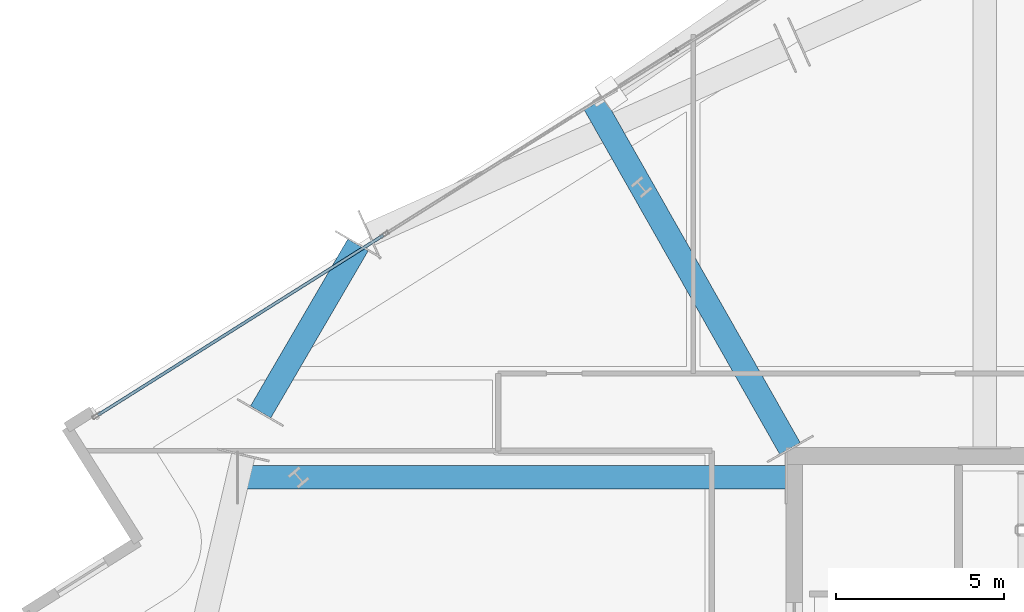
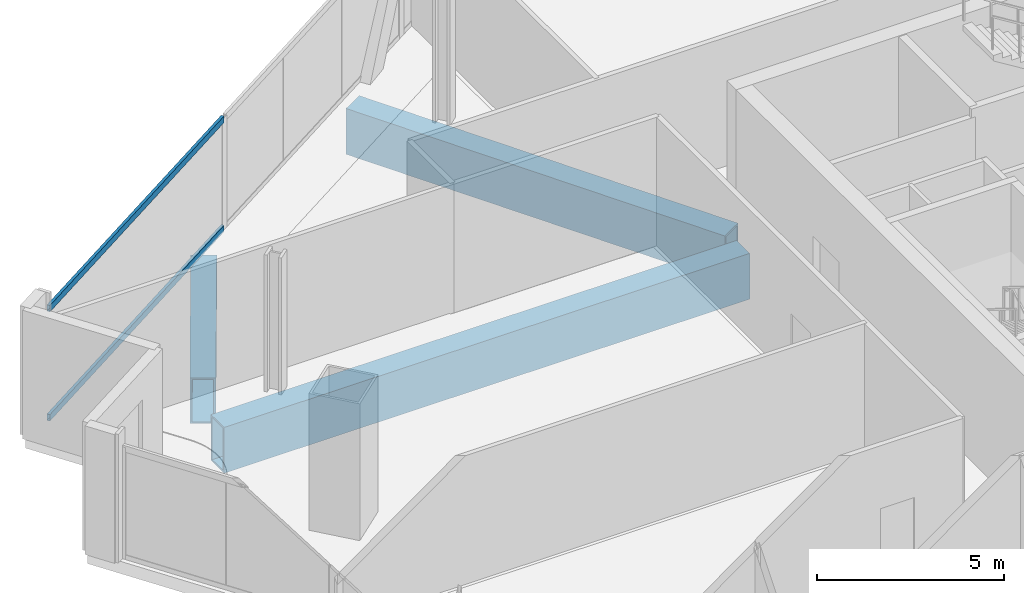
# One storey, part 11 of 29: 3 beams, 2 members, 1 element without a shape of its own.
"""IFC4 building model written with IfcOpenShell, lengths in metres."""

import ifcopenshell
import ifcopenshell.guid

model = None  # the IFC model being written
_history = None  # IfcOwnerHistory: only IFC2X3 demands one
_inside = {}  # id of a spatial element -> (the spatial element, [elements in it])
_under = {}  # id of a project, library or spatial element -> (it, [spatial elements below it])
_declared = {}  # id of a project -> (the project, [libraries it declares])
_typed = {}  # id of a type object -> (the type object, [elements of that type])
_made_of = {}  # id of a material, layer set ... -> (it, [elements and type objects made of it])


def new_model(schema):
    """Start an empty IFC model of exactly this schema.

    Asked for "IFC4X3", IfcOpenShell would pick the latest addendum, in which some entities
    have other attributes; the version numbers below select the first issue.
    IFC2X3 requires an IfcOwnerHistory on every rooted entity: one is made here for all.
    """
    global model, _history
    if schema == "IFC4X3":
        model = ifcopenshell.file(schema_version=(4, 3, 0, 0))
    else:
        model = ifcopenshell.file(schema=schema)
    _inside.clear()
    _under.clear()
    _declared.clear()
    _typed.clear()
    _made_of.clear()
    _history = None
    if model.schema == "IFC2X3":
        org = make("IfcOrganization", Name="unknown")
        user = make(
            "IfcPersonAndOrganization",
            ThePerson=make("IfcPerson", FamilyName="unknown"),
            TheOrganization=org,
        )
        app = make(
            "IfcApplication",
            ApplicationDeveloper=org,
            Version="unknown",
            ApplicationFullName="unknown",
            ApplicationIdentifier="unknown",
        )
        _history = make(
            "IfcOwnerHistory",
            OwningUser=user,
            OwningApplication=app,
            ChangeAction="ADDED",
            CreationDate=0,
        )
    return model


def make(cls, **values):
    """One entity of the class cls with the attributes given. An attribute that is None is left unset."""
    return model.create_entity(
        cls, **{name: value for name, value in values.items() if value is not None}
    )


def rooted(cls, **values):
    """An entity with a GlobalId (a new one), such as an element, a storey or a relation."""
    return make(cls, GlobalId=ifcopenshell.guid.new(), OwnerHistory=_history, **values)


def si_unit(unit_type, name, prefix=None):
    """IfcSIUnit, for example si_unit("LENGTHUNIT", "METRE", prefix="MILLI")."""
    return make("IfcSIUnit", UnitType=unit_type, Prefix=prefix, Name=name)


def assignment(units):
    """IfcUnitAssignment: the units of a project."""
    return None if units is None else make("IfcUnitAssignment", Units=units)


def point(xyz):
    """IfcCartesianPoint."""
    return None if xyz is None else make("IfcCartesianPoint", Coordinates=xyz)


def direction(xyz):
    """IfcDirection."""
    return None if xyz is None else make("IfcDirection", DirectionRatios=xyz)


def frame(location, z_axis=None, x_axis=None):
    """IfcAxis2Placement3D, a coordinate frame: its origin and axes. An axis left out is left unset."""
    return make(
        "IfcAxis2Placement3D",
        Location=point(location),
        Axis=direction(z_axis),
        RefDirection=direction(x_axis),
    )


def frame_2d(location, x_axis=None):
    """IfcAxis2Placement2D, a coordinate frame in the plane: its origin and x axis."""
    return make(
        "IfcAxis2Placement2D", Location=point(location), RefDirection=direction(x_axis)
    )


def origin():
    """The frame at (0, 0, 0) with its axes left unset."""
    return frame((0.0, 0.0, 0.0))


def origin_2d():
    """The frame at (0, 0) in the plane with its x axis left unset."""
    return frame_2d((0.0, 0.0))


def place(relative_to, where):
    """IfcLocalPlacement: puts the frame where relative to a parent placement (None: the world)."""
    return make(
        "IfcLocalPlacement", PlacementRelTo=relative_to, RelativePlacement=where
    )


def context(
    kind, dimensions, precision=None, world=None, true_north=None, identifier=None
):
    """IfcGeometricRepresentationContext, for example the 3D "Model" context."""
    return make(
        "IfcGeometricRepresentationContext",
        ContextIdentifier=identifier,
        ContextType=kind,
        CoordinateSpaceDimension=dimensions,
        Precision=precision,
        WorldCoordinateSystem=world,
        TrueNorth=true_north,
    )


def subcontext(parent, identifier, kind, view, scale=None):
    """IfcGeometricRepresentationSubContext, for example "Body" below "Model"."""
    return make(
        "IfcGeometricRepresentationSubContext",
        ContextIdentifier=identifier,
        ContextType=kind,
        ParentContext=parent,
        TargetScale=scale,
        TargetView=view,
    )


def project(units=None, contexts=None):
    """IfcProject with its units and contexts."""
    return rooted(
        "IfcProject",
        Name="project",
        RepresentationContexts=contexts,
        UnitsInContext=assignment(units),
    )


def spatial(cls, under=None, at=None, **own):
    """A site, building, storey or space (cls), placed at a placement, below another one or the project."""
    s = rooted(cls, ObjectPlacement=at, **own)
    if under is not None:
        _under.setdefault(under.id(), (under, []))[1].append(s)
    return s


def profile(cls, at=None, kind="AREA", **sizes):
    """A parametric profile (cls). Its sizes go by their IFC names, for example OverallWidth=200.0."""
    return make(cls, ProfileType=kind, Position=at, **sizes)


def hollow_rectangle(**sizes):
    """IfcRectangleHollowProfileDef."""
    return profile("IfcRectangleHollowProfileDef", **sizes)


def extrude(swept, where, along, depth):
    """IfcExtrudedAreaSolid: the profile swept, set in the frame where, extruded along a direction by depth."""
    return make(
        "IfcExtrudedAreaSolid",
        SweptArea=swept,
        Position=where,
        ExtrudedDirection=direction(along),
        Depth=depth,
    )


def shape(context_of_items, identifier, shape_type, items):
    """IfcShapeRepresentation: the items that make up one representation, for example the "Body"."""
    return make(
        "IfcShapeRepresentation",
        ContextOfItems=context_of_items,
        RepresentationIdentifier=identifier,
        RepresentationType=shape_type,
        Items=items,
    )


def material(Name=None, Category=None):
    """IfcMaterial."""
    return make("IfcMaterial", Name=Name, Category=Category)


def material_profile(
    of_material, cross_section, Name=None, Category=None, Priority=None
):
    """IfcMaterialProfile: a cross section and its material."""
    return make(
        "IfcMaterialProfile",
        Name=Name,
        Material=of_material,
        Profile=cross_section,
        Priority=Priority,
        Category=Category,
    )


def profile_set(profiles, Name=None, composite=None):
    """IfcMaterialProfileSet."""
    return make(
        "IfcMaterialProfileSet",
        Name=Name,
        MaterialProfiles=profiles,
        CompositeProfile=composite,
    )


def made_of(thing, what):
    """Note that an element or type object is made of a material, layer set ...; save() writes the relation."""
    if what is not None:
        _made_of.setdefault(what.id(), (what, []))[1].append(thing)
    return thing


def type_object(cls, material=None, **own):
    """A type object (cls), such as IfcWallType, which elements share."""
    return made_of(rooted(cls, **own), material)


def element(
    cls,
    number,
    at=None,
    inside=None,
    cuts=None,
    type_object=None,
    material=None,
    context=None,
    identifier="Body",
    shape_type=None,
    held_by="IfcProductDefinitionShape",
    body=None,
    shapes=None,
    **own,
):
    """One element of the class cls, such as IfcWall. Its Tag is "e" and its number.

    at: its placement. inside: the storey or other place that contains it. cuts: it is an
    opening in that element (IfcRelVoidsElement). A single representation is given by context,
    identifier, shape_type and body (its items); several are given by shapes. held_by: the class
    of the entity that holds the representations. save() writes the other relations.
    """
    e = rooted(cls, Tag="e%d" % number, ObjectPlacement=at, **own)
    if body is not None:
        shapes = [shape(context, identifier, shape_type, body)]
    if shapes is not None:
        e.Representation = make(held_by, Representations=shapes)
    if inside is not None:
        _inside.setdefault(inside.id(), (inside, []))[1].append(e)
    if cuts is not None:
        rooted(
            "IfcRelVoidsElement", RelatingBuildingElement=cuts, RelatedOpeningElement=e
        )
    if type_object is not None:
        _typed.setdefault(type_object.id(), (type_object, []))[1].append(e)
    return made_of(e, material)


def aggregate(whole, parts):
    """IfcRelAggregates: a whole, such as a stair, and the parts it consists of."""
    return rooted("IfcRelAggregates", RelatingObject=whole, RelatedObjects=parts)


def save(model, path):
    """Write the relations noted so far, then the file.

    IfcRelAggregates (storeys below a building ...), IfcRelContainedInSpatialStructure (elements
    in a storey), IfcRelDefinesByType, IfcRelAssociatesMaterial and IfcRelDeclares: one each for
    every whole, place, type object, material and project.
    """
    for whole, parts in _under.values():
        aggregate(whole, parts)
    for where, things in _inside.values():
        rooted(
            "IfcRelContainedInSpatialStructure",
            RelatedElements=things,
            RelatingStructure=where,
        )
    for kind, things in _typed.values():
        rooted("IfcRelDefinesByType", RelatedObjects=things, RelatingType=kind)
    for what, things in _made_of.values():
        rooted("IfcRelAssociatesMaterial", RelatedObjects=things, RelatingMaterial=what)
    for by, libraries in _declared.values():
        rooted("IfcRelDeclares", RelatingContext=by, RelatedDefinitions=libraries)
    model.write(path)


model = new_model("IFC4")

# Units and contexts
model_context = context("Model", 3, precision=1e-05, world=origin(), true_north=direction((0.0, 1.0)))
body_context = subcontext(model_context, "Body", "Model", "MODEL_VIEW")
ifc_project = project(units=[si_unit("LENGTHUNIT", "METRE"), si_unit("AREAUNIT", "SQUARE_METRE"), si_unit("VOLUMEUNIT", "CUBIC_METRE"), si_unit("PLANEANGLEUNIT", "RADIAN"), si_unit("MASSUNIT", "GRAM", prefix="KILO")], contexts=[model_context])

# Site, building, storey
site_placement = place(None, origin())
site = spatial("IfcSite", under=ifc_project, at=site_placement, CompositionType="ELEMENT")
building_placement = place(site_placement, origin())
building = spatial("IfcBuilding", under=site, at=building_placement, Name="Haldenkirk Collegiate Tower", CompositionType="ELEMENT")
storey_placement = place(building_placement, frame((0.0, 0.0, 136.199951171875)))
storey = spatial("IfcBuildingStorey", under=building, at=storey_placement, Name="L33", CompositionType="ELEMENT", Elevation=136.199951171875)

# Beams
ifc_material_1 = material(Name="Steel ASTM A572 Grade 50", Category="steel")
ifc_material_profile_1 = material_profile(ifc_material_1, hollow_rectangle(XDim=0.699951171875, YDim=1.5, WallThickness=0.06005859375, at=origin_2d()), Name="BOX1500X700X60")
ifc_profile_set_1 = profile_set([ifc_material_profile_1], Name="Steel ASTM A572 Grade 50")
beam_type = type_object("IfcBeamType", Name="BM-TRANSFER-BOX1500X700X60", PredefinedType="BEAM", material=ifc_profile_set_1)
beam_1_placement = place(storey_placement, frame((14.035888671875, 40.27001953125, -1.14990234375), z_axis=(-0.503649179098, -0.863908273137, 0.0), x_axis=(0.863908273137, -0.503649179098, 0.0)))
element("IfcBeam", 1, at=beam_1_placement, inside=storey, type_object=beam_type, Name="L33 sky-lobby perimeter transfer girder 12", PredefinedType="BEAM", context=body_context, shape_type="SweptSolid", body=[
    extrude(hollow_rectangle(XDim=0.699951171875, YDim=1.5, WallThickness=0.06005859375, at=origin_2d()), origin(), (0.0, 0.0, 1.0), 5.748046875),
])
beam_2_placement = place(storey_placement, frame((21.061767578125, 44.458984375, -1.14990234375), z_axis=(0.493727185722, -0.869616850158, 0.0), x_axis=(0.869616850158, 0.493727185722, 0.0)))
element("IfcBeam", 2, at=beam_2_placement, inside=storey, type_object=beam_type, Name="L33 sky-lobby radial transfer girder 12", PredefinedType="BEAM", context=body_context, shape_type="SweptSolid", body=[
    extrude(hollow_rectangle(XDim=0.699951171875, YDim=1.5, WallThickness=0.06005859375, at=origin_2d()), origin(), (0.0, 0.0, 1.0), 11.772216796875),
])
beam_3_placement = place(storey_placement, frame((10.472412109375, 33.360107421875, -1.14990234375), z_axis=(1.0, 0.0, 0.0), x_axis=(0.0, 1.0, 0.0)))
element("IfcBeam", 3, at=beam_3_placement, inside=storey, type_object=beam_type, Name="L33 sky-lobby radial transfer girder 13", PredefinedType="BEAM", context=body_context, shape_type="SweptSolid", body=[
    extrude(hollow_rectangle(XDim=0.699951171875, YDim=1.5, WallThickness=0.06005859375, at=origin_2d()), origin(), (0.0, 0.0, 1.0), 16.272705078125),
])

# Curtain wall, members
ifc_material_2 = material(Name="Anodised architectural bronze aluminium", Category="aluminium")
curtain_wall_type = type_object("IfcCurtainWallType", Name="CW-SYS4-SKYGARDEN", PredefinedType="USERDEFINED", material=ifc_material_2)
curtain_wall_placement = place(storey_placement, origin())
curtain_wall = element("IfcCurtainWall", 4, at=curtain_wall_placement, inside=storey, type_object=curtain_wall_type, Name="L33 Sky-garden tall bronze curtain wall", ObjectType="UNITISED CURTAIN WALL", PredefinedType="USERDEFINED")
ifc_material_profile_2 = material_profile(ifc_material_2, hollow_rectangle(XDim=0.090087890625, YDim=0.2099609375, WallThickness=0.0048828125, at=origin_2d()), Name="CW-TRN-04")
ifc_profile_set_2 = profile_set([ifc_material_profile_2], Name="Anodised architectural bronze aluminium")
member_type = type_object("IfcMemberType", Name="CW-TRN-04", PredefinedType="USERDEFINED", material=ifc_profile_set_2)
member_1_placement = place(storey_placement, frame((6.311767578125, 35.2177734375, 0.045166015625), z_axis=(0.846196606927, 0.532870812135, 0.0), x_axis=(-0.532870812135, 0.846196606927, 0.0)))
member_1 = element("IfcMember", 5, at=member_1_placement, type_object=member_type, Name="CW-04 transom 1.1", ObjectType="TRANSOM", PredefinedType="USERDEFINED", context=body_context, shape_type="SweptSolid", body=[
    extrude(hollow_rectangle(XDim=0.090087890625, YDim=0.2099609375, WallThickness=0.0048828125, at=origin_2d()), origin(), (0.0, 0.0, 1.0), 10.014892578125),
])
member_2_placement = place(storey_placement, frame((6.311767578125, 35.2177734375, 3.615966796875), z_axis=(0.846196606927, 0.532870812135, 0.0), x_axis=(-0.532870812135, 0.846196606927, 0.0)))
member_2 = element("IfcMember", 6, at=member_2_placement, type_object=member_type, Name="CW-04 transom 1.2", ObjectType="TRANSOM", PredefinedType="USERDEFINED", context=body_context, shape_type="SweptSolid", body=[
    extrude(hollow_rectangle(XDim=0.090087890625, YDim=0.2099609375, WallThickness=0.0048828125, at=origin_2d()), origin(), (0.0, 0.0, 1.0), 10.014892578125),
])
aggregate(curtain_wall, [member_1, member_2])

save(model, "model.ifc")
